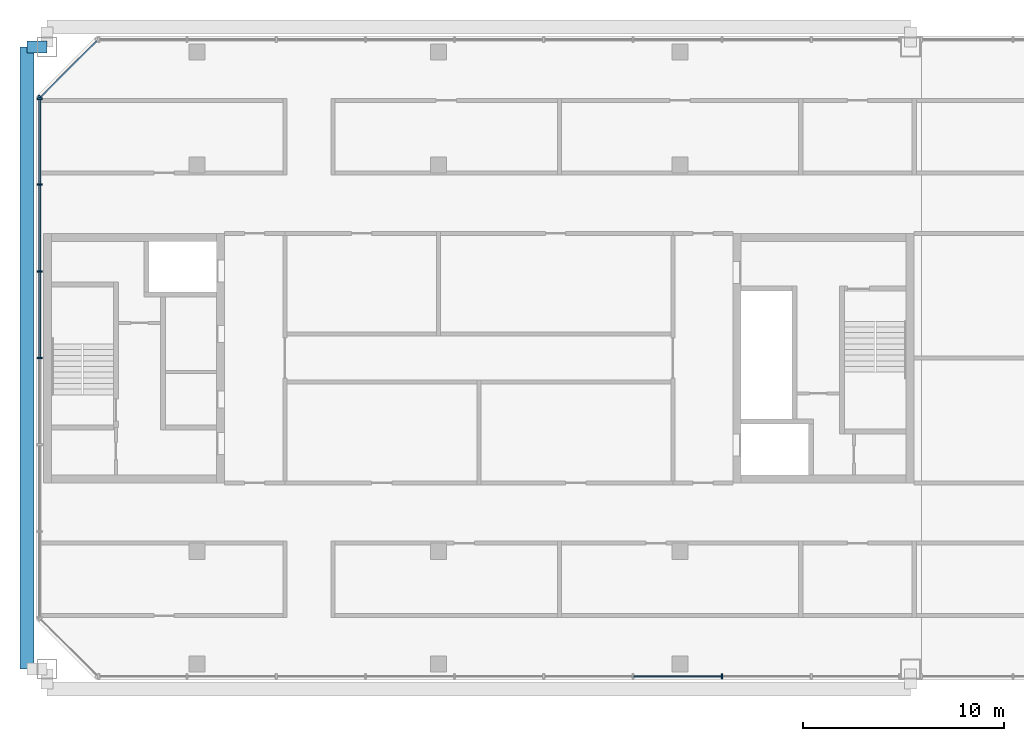
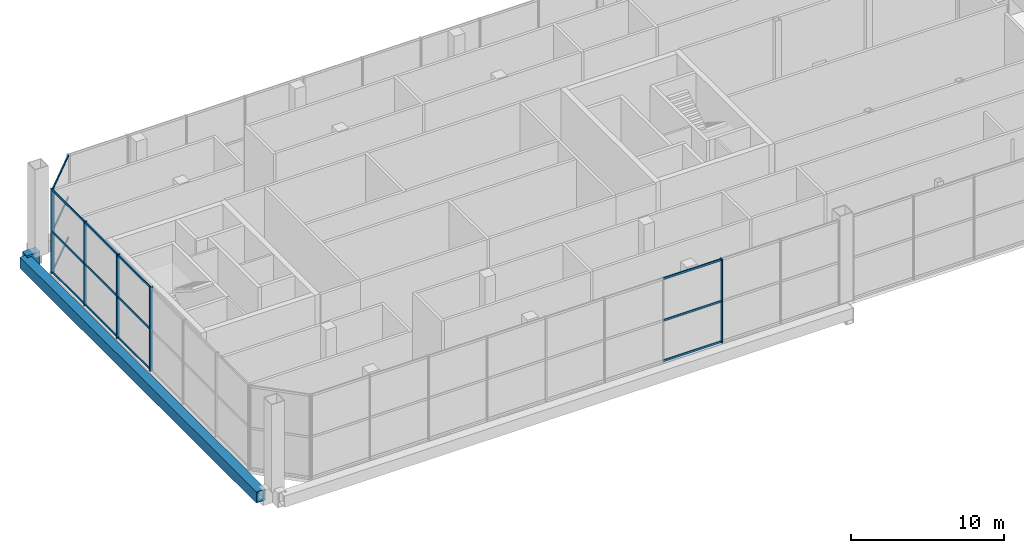
# One storey, part 5 of 27: 21 members, 2 beams, 3 elements without a shape of their own.
"""IFC4 building model written with IfcOpenShell, lengths in metres."""

from ifc_helpers import new_model, si_unit, direction, frame, origin, origin_2d, place, context, subcontext, project, spatial, rectangle, hollow_rectangle, extrude, material, material_profile, profile_set, type_object, element, aggregate, save


model = new_model("IFC4")

# Units and contexts
model_context = context("Model", 3, precision=1e-05, world=origin(), true_north=direction((0.0, 1.0)))
body_context = subcontext(model_context, "Body", "Model", "MODEL_VIEW")
ifc_project = project(units=[si_unit("LENGTHUNIT", "METRE"), si_unit("AREAUNIT", "SQUARE_METRE"), si_unit("VOLUMEUNIT", "CUBIC_METRE"), si_unit("PLANEANGLEUNIT", "RADIAN"), si_unit("MASSUNIT", "GRAM", prefix="KILO")], contexts=[model_context])

# Site, building, storey
site_placement = place(None, origin())
site = spatial("IfcSite", under=ifc_project, at=site_placement, CompositionType="ELEMENT")
building_placement = place(site_placement, origin())
building = spatial("IfcBuilding", under=site, at=building_placement, Name="Tuart Gate Housing", CompositionType="ELEMENT")
storey_placement = place(building_placement, frame((0.0, 0.0, 236.89990234375)))
storey = spatial("IfcBuildingStorey", under=building, at=storey_placement, Name="L67", CompositionType="ELEMENT", Elevation=236.89990234375)

# Beam
ifc_material_1 = material(Name="Steel Grade 350", Category="steel")
ifc_material_profile_1 = material_profile(ifc_material_1, hollow_rectangle(XDim=0.60009765625, YDim=1.199951171875, WallThickness=0.0400390625, at=origin_2d()), Name="BOX 1200x600x40")
ifc_profile_set_1 = profile_set([ifc_material_profile_1], Name="Steel Grade 350")
beam_type_1 = type_object("IfcBeamType", Name="Brace shoe BOX 1200x600x40", PredefinedType="BEAM", material=ifc_profile_set_1)
beam_1_placement = place(storey_placement, frame((32.550048828125, 85.449951171875, -0.39990234375), z_axis=(-1.0, 0.0, 0.0), x_axis=(0.0, -1.0, 0.0)))
element("IfcBeam", 1, at=beam_1_placement, inside=storey, type_object=beam_type_1, Name="Mega tie beam A node 8 west shoe 1 L67", PredefinedType="BEAM", context=body_context, shape_type="SweptSolid", body=[
    extrude(hollow_rectangle(XDim=0.60009765625, YDim=1.199951171875, WallThickness=0.0400390625, at=origin_2d()), origin(), (0.0, 0.0, 1.0), 1.0),
])

# Curtain wall, member
ifc_material_2 = material(Name="Aluminium and clear glass", Category="aluminium")
curtain_wall_type = type_object("IfcCurtainWallType", Name="Damper floor glazing", PredefinedType="USERDEFINED", material=ifc_material_2)
curtain_wall_1_placement = place(storey_placement, origin())
curtain_wall_1 = element("IfcCurtainWall", 2, at=curtain_wall_1_placement, inside=storey, type_object=curtain_wall_type, Name="Damper floor glazing BLK-S L67", ObjectType="DAMPER FLOOR GLAZING", PredefinedType="USERDEFINED")
ifc_material_3 = material(Name="Anodised aluminium", Category="aluminium")
ifc_material_profile_2 = material_profile(ifc_material_3, rectangle(XDim=0.080078125, YDim=0.25, at=origin_2d()), Name="80x250")
ifc_profile_set_2 = profile_set([ifc_material_profile_2], Name="Anodised aluminium")
member_type_1 = type_object("IfcMemberType", Name="Mullion 80 x 250", PredefinedType="MULLION", material=ifc_profile_set_2)
member_1_placement = place(storey_placement, frame((66.0888671875, 54.179931640625, 0.0), z_axis=(0.0, 0.0, 1.0), x_axis=(1.0, 0.0, 0.0)))
member_1 = element("IfcMember", 3, at=member_1_placement, type_object=member_type_1, Name="CW5 mullion 8", PredefinedType="MULLION", context=body_context, shape_type="SweptSolid", body=[
    extrude(rectangle(XDim=0.080078125, YDim=0.25, at=origin_2d()), origin(), (0.0, 0.0, 1.0), 6.7001953125),
])

curtain_wall_2_placement = place(storey_placement, origin())
curtain_wall_2 = element("IfcCurtainWall", 4, at=curtain_wall_2_placement, inside=storey, type_object=curtain_wall_type, Name="Damper floor glazing BLK-NW L67", ObjectType="DAMPER FLOOR GLAZING", PredefinedType="USERDEFINED")
member_2_placement = place(storey_placement, frame((32.208251953125, 82.95361328125, 0.0), z_axis=(0.0, 0.0, 1.0), x_axis=(-0.707106781187, -0.707106781187, 0.0)))
member_2 = element("IfcMember", 5, at=member_2_placement, type_object=member_type_1, Name="CW5 mullion 2", PredefinedType="MULLION", context=body_context, shape_type="SweptSolid", body=[
    extrude(rectangle(XDim=0.080078125, YDim=0.25, at=origin_2d()), origin(), (0.0, 0.0, 1.0), 6.7001953125),
])

# Curtain wall, members
curtain_wall_3_placement = place(storey_placement, origin())
curtain_wall_3 = element("IfcCurtainWall", 6, at=curtain_wall_3_placement, inside=storey, type_object=curtain_wall_type, Name="Damper floor glazing BLK-W L67", ObjectType="DAMPER FLOOR GLAZING", PredefinedType="USERDEFINED")
member_3_placement = place(storey_placement, frame((32.179931640625, 82.885498046875, 0.0), z_axis=(0.0, 0.0, 1.0), x_axis=(0.0, -1.0, 0.0)))
member_3 = element("IfcMember", 7, at=member_3_placement, type_object=member_type_1, Name="CW5 mullion 1", PredefinedType="MULLION", context=body_context, shape_type="SweptSolid", body=[
    extrude(rectangle(XDim=0.080078125, YDim=0.25, at=origin_2d()), origin(), (0.0, 0.0, 1.0), 6.7001953125),
])
member_4_placement = place(storey_placement, frame((32.179931640625, 78.616943359375, 0.0), z_axis=(0.0, 0.0, 1.0), x_axis=(0.0, -1.0, 0.0)))
member_4 = element("IfcMember", 8, at=member_4_placement, type_object=member_type_1, Name="CW5 mullion 2", PredefinedType="MULLION", context=body_context, shape_type="SweptSolid", body=[
    extrude(rectangle(XDim=0.080078125, YDim=0.25, at=origin_2d()), origin(), (0.0, 0.0, 1.0), 6.7001953125),
])
member_5_placement = place(storey_placement, frame((32.179931640625, 74.308349609375, 0.0), z_axis=(0.0, 0.0, 1.0), x_axis=(0.0, -1.0, 0.0)))
member_5 = element("IfcMember", 9, at=member_5_placement, type_object=member_type_1, Name="CW5 mullion 3", PredefinedType="MULLION", context=body_context, shape_type="SweptSolid", body=[
    extrude(rectangle(XDim=0.080078125, YDim=0.25, at=origin_2d()), origin(), (0.0, 0.0, 1.0), 6.7001953125),
])
member_6_placement = place(storey_placement, frame((32.179931640625, 70.0, 0.0), z_axis=(0.0, 0.0, 1.0), x_axis=(0.0, -1.0, 0.0)))
member_6 = element("IfcMember", 10, at=member_6_placement, type_object=member_type_1, Name="CW5 mullion 4", PredefinedType="MULLION", context=body_context, shape_type="SweptSolid", body=[
    extrude(rectangle(XDim=0.080078125, YDim=0.25, at=origin_2d()), origin(), (0.0, 0.0, 1.0), 6.7001953125),
])

# Beam
ifc_material_4 = material(Name="Steel Grade 350", Category="steel")
ifc_material_profile_3 = material_profile(ifc_material_4, hollow_rectangle(XDim=0.699951171875, YDim=0.89990234375, WallThickness=0.0400390625, at=origin_2d()), Name="BOX 900x700x40")
ifc_profile_set_3 = profile_set([ifc_material_profile_3], Name="Steel Grade 350")
beam_type_2 = type_object("IfcBeamType", Name="Tie beam BOX 900x700x40", PredefinedType="BEAM", material=ifc_profile_set_3)
beam_2_placement = place(storey_placement, frame((31.550048828125, 54.550048828125, -0.39990234375), z_axis=(0.0, 1.0, 0.0), x_axis=(-1.0, 0.0, 0.0)))
element("IfcBeam", 11, at=beam_2_placement, inside=storey, type_object=beam_type_2, Name="Mega tie beam A node 8 west L67", PredefinedType="BEAM", context=body_context, shape_type="SweptSolid", body=[
    extrude(hollow_rectangle(XDim=0.699951171875, YDim=0.89990234375, WallThickness=0.0400390625, at=origin_2d()), origin(), (0.0, 0.0, 1.0), 30.89990234375),
])

# Member
ifc_material_5 = material(Name="Anodised aluminium", Category="aluminium")
ifc_material_profile_4 = material_profile(ifc_material_5, rectangle(XDim=0.080078125, YDim=0.159912109375, at=origin_2d()), Name="80x160")
ifc_profile_set_4 = profile_set([ifc_material_profile_4], Name="Anodised aluminium")
member_type_2 = type_object("IfcMemberType", Name="Transom 80 x 160", PredefinedType="USERDEFINED", material=ifc_profile_set_4)
member_7_placement = place(storey_placement, frame((61.6982421875, 54.179931640625, 0.080078125), z_axis=(1.0, 0.0, 0.0), x_axis=(0.0, 1.0, 0.0)))
member_7 = element("IfcMember", 12, at=member_7_placement, type_object=member_type_2, Name="CW5 transom 7.1", ObjectType="TRANSOM", PredefinedType="USERDEFINED", context=body_context, shape_type="SweptSolid", body=[
    extrude(rectangle(XDim=0.080078125, YDim=0.159912109375, at=origin_2d()), origin(), (0.0, 0.0, 1.0), 4.3505859375),
])

member_8_placement = place(storey_placement, frame((61.6982421875, 54.179931640625, 3.300048828125), z_axis=(1.0, 0.0, 0.0), x_axis=(0.0, 1.0, 0.0)))
member_8 = element("IfcMember", 13, at=member_8_placement, type_object=member_type_2, Name="CW5 transom 7.2", ObjectType="TRANSOM", PredefinedType="USERDEFINED", context=body_context, shape_type="SweptSolid", body=[
    extrude(rectangle(XDim=0.080078125, YDim=0.159912109375, at=origin_2d()), origin(), (0.0, 0.0, 1.0), 4.3505859375),
])

member_9_placement = place(storey_placement, frame((61.6982421875, 54.179931640625, 6.6201171875), z_axis=(1.0, 0.0, 0.0), x_axis=(0.0, 1.0, 0.0)))
member_9 = element("IfcMember", 14, at=member_9_placement, type_object=member_type_2, Name="CW5 transom 7.3", ObjectType="TRANSOM", PredefinedType="USERDEFINED", context=body_context, shape_type="SweptSolid", body=[
    extrude(rectangle(XDim=0.080078125, YDim=0.159912109375, at=origin_2d()), origin(), (0.0, 0.0, 1.0), 4.3505859375),
])

aggregate(curtain_wall_1, [member_1, member_7, member_8, member_9])

member_10_placement = place(storey_placement, frame((35.01806640625, 85.763427734375, 0.080078125), z_axis=(-0.707106781187, -0.707106781187, 0.0), x_axis=(0.707106781187, -0.707106781187, 0.0)))
member_10 = element("IfcMember", 15, at=member_10_placement, type_object=member_type_2, Name="CW5 transom 1.1", ObjectType="TRANSOM", PredefinedType="USERDEFINED", context=body_context, shape_type="SweptSolid", body=[
    extrude(rectangle(XDim=0.080078125, YDim=0.159912109375, at=origin_2d()), origin(), (0.0, 0.0, 1.0), 3.93359375),
])

member_11_placement = place(storey_placement, frame((35.01806640625, 85.763427734375, 3.300048828125), z_axis=(-0.707106781187, -0.707106781187, 0.0), x_axis=(0.707106781187, -0.707106781187, 0.0)))
member_11 = element("IfcMember", 16, at=member_11_placement, type_object=member_type_2, Name="CW5 transom 1.2", ObjectType="TRANSOM", PredefinedType="USERDEFINED", context=body_context, shape_type="SweptSolid", body=[
    extrude(rectangle(XDim=0.080078125, YDim=0.159912109375, at=origin_2d()), origin(), (0.0, 0.0, 1.0), 3.93359375),
])

member_12_placement = place(storey_placement, frame((35.01806640625, 85.763427734375, 6.6201171875), z_axis=(-0.707106781187, -0.707106781187, 0.0), x_axis=(0.707106781187, -0.707106781187, 0.0)))
member_12 = element("IfcMember", 17, at=member_12_placement, type_object=member_type_2, Name="CW5 transom 1.3", ObjectType="TRANSOM", PredefinedType="USERDEFINED", context=body_context, shape_type="SweptSolid", body=[
    extrude(rectangle(XDim=0.080078125, YDim=0.159912109375, at=origin_2d()), origin(), (0.0, 0.0, 1.0), 3.93359375),
])

aggregate(curtain_wall_2, [member_2, member_10, member_11, member_12])

member_13_placement = place(storey_placement, frame((32.179931640625, 82.845458984375, 0.080078125), z_axis=(0.0, -1.0, 0.0), x_axis=(1.0, 0.0, 0.0)))
member_13 = element("IfcMember", 18, at=member_13_placement, type_object=member_type_2, Name="CW5 transom 1.1", ObjectType="TRANSOM", PredefinedType="USERDEFINED", context=body_context, shape_type="SweptSolid", body=[
    extrude(rectangle(XDim=0.080078125, YDim=0.159912109375, at=origin_2d()), origin(), (0.0, 0.0, 1.0), 4.1884765625),
])

member_14_placement = place(storey_placement, frame((32.179931640625, 82.845458984375, 3.300048828125), z_axis=(0.0, -1.0, 0.0), x_axis=(1.0, 0.0, 0.0)))
member_14 = element("IfcMember", 19, at=member_14_placement, type_object=member_type_2, Name="CW5 transom 1.2", ObjectType="TRANSOM", PredefinedType="USERDEFINED", context=body_context, shape_type="SweptSolid", body=[
    extrude(rectangle(XDim=0.080078125, YDim=0.159912109375, at=origin_2d()), origin(), (0.0, 0.0, 1.0), 4.1884765625),
])

member_15_placement = place(storey_placement, frame((32.179931640625, 82.845458984375, 6.6201171875), z_axis=(0.0, -1.0, 0.0), x_axis=(1.0, 0.0, 0.0)))
member_15 = element("IfcMember", 20, at=member_15_placement, type_object=member_type_2, Name="CW5 transom 1.3", ObjectType="TRANSOM", PredefinedType="USERDEFINED", context=body_context, shape_type="SweptSolid", body=[
    extrude(rectangle(XDim=0.080078125, YDim=0.159912109375, at=origin_2d()), origin(), (0.0, 0.0, 1.0), 4.1884765625),
])

member_16_placement = place(storey_placement, frame((32.179931640625, 78.576904296875, 0.080078125), z_axis=(0.0, -1.0, 0.0), x_axis=(1.0, 0.0, 0.0)))
member_16 = element("IfcMember", 21, at=member_16_placement, type_object=member_type_2, Name="CW5 transom 2.1", ObjectType="TRANSOM", PredefinedType="USERDEFINED", context=body_context, shape_type="SweptSolid", body=[
    extrude(rectangle(XDim=0.080078125, YDim=0.159912109375, at=origin_2d()), origin(), (0.0, 0.0, 1.0), 4.228515625),
])

member_17_placement = place(storey_placement, frame((32.179931640625, 78.576904296875, 3.300048828125), z_axis=(0.0, -1.0, 0.0), x_axis=(1.0, 0.0, 0.0)))
member_17 = element("IfcMember", 22, at=member_17_placement, type_object=member_type_2, Name="CW5 transom 2.2", ObjectType="TRANSOM", PredefinedType="USERDEFINED", context=body_context, shape_type="SweptSolid", body=[
    extrude(rectangle(XDim=0.080078125, YDim=0.159912109375, at=origin_2d()), origin(), (0.0, 0.0, 1.0), 4.228515625),
])

member_18_placement = place(storey_placement, frame((32.179931640625, 78.576904296875, 6.6201171875), z_axis=(0.0, -1.0, 0.0), x_axis=(1.0, 0.0, 0.0)))
member_18 = element("IfcMember", 23, at=member_18_placement, type_object=member_type_2, Name="CW5 transom 2.3", ObjectType="TRANSOM", PredefinedType="USERDEFINED", context=body_context, shape_type="SweptSolid", body=[
    extrude(rectangle(XDim=0.080078125, YDim=0.159912109375, at=origin_2d()), origin(), (0.0, 0.0, 1.0), 4.228515625),
])

member_19_placement = place(storey_placement, frame((32.179931640625, 74.2685546875, 0.080078125), z_axis=(0.0, -1.0, 0.0), x_axis=(1.0, 0.0, 0.0)))
member_19 = element("IfcMember", 24, at=member_19_placement, type_object=member_type_2, Name="CW5 transom 3.1", ObjectType="TRANSOM", PredefinedType="USERDEFINED", context=body_context, shape_type="SweptSolid", body=[
    extrude(rectangle(XDim=0.080078125, YDim=0.159912109375, at=origin_2d()), origin(), (0.0, 0.0, 1.0), 4.228515625),
])

member_20_placement = place(storey_placement, frame((32.179931640625, 74.2685546875, 3.300048828125), z_axis=(0.0, -1.0, 0.0), x_axis=(1.0, 0.0, 0.0)))
member_20 = element("IfcMember", 25, at=member_20_placement, type_object=member_type_2, Name="CW5 transom 3.2", ObjectType="TRANSOM", PredefinedType="USERDEFINED", context=body_context, shape_type="SweptSolid", body=[
    extrude(rectangle(XDim=0.080078125, YDim=0.159912109375, at=origin_2d()), origin(), (0.0, 0.0, 1.0), 4.228515625),
])

member_21_placement = place(storey_placement, frame((32.179931640625, 74.2685546875, 6.6201171875), z_axis=(0.0, -1.0, 0.0), x_axis=(1.0, 0.0, 0.0)))
member_21 = element("IfcMember", 26, at=member_21_placement, type_object=member_type_2, Name="CW5 transom 3.3", ObjectType="TRANSOM", PredefinedType="USERDEFINED", context=body_context, shape_type="SweptSolid", body=[
    extrude(rectangle(XDim=0.080078125, YDim=0.159912109375, at=origin_2d()), origin(), (0.0, 0.0, 1.0), 4.228515625),
])

aggregate(curtain_wall_3, [member_3, member_4, member_5, member_6, member_13, member_14, member_15, member_16, member_17, member_18, member_19, member_20, member_21])

save(model, "model.ifc")
